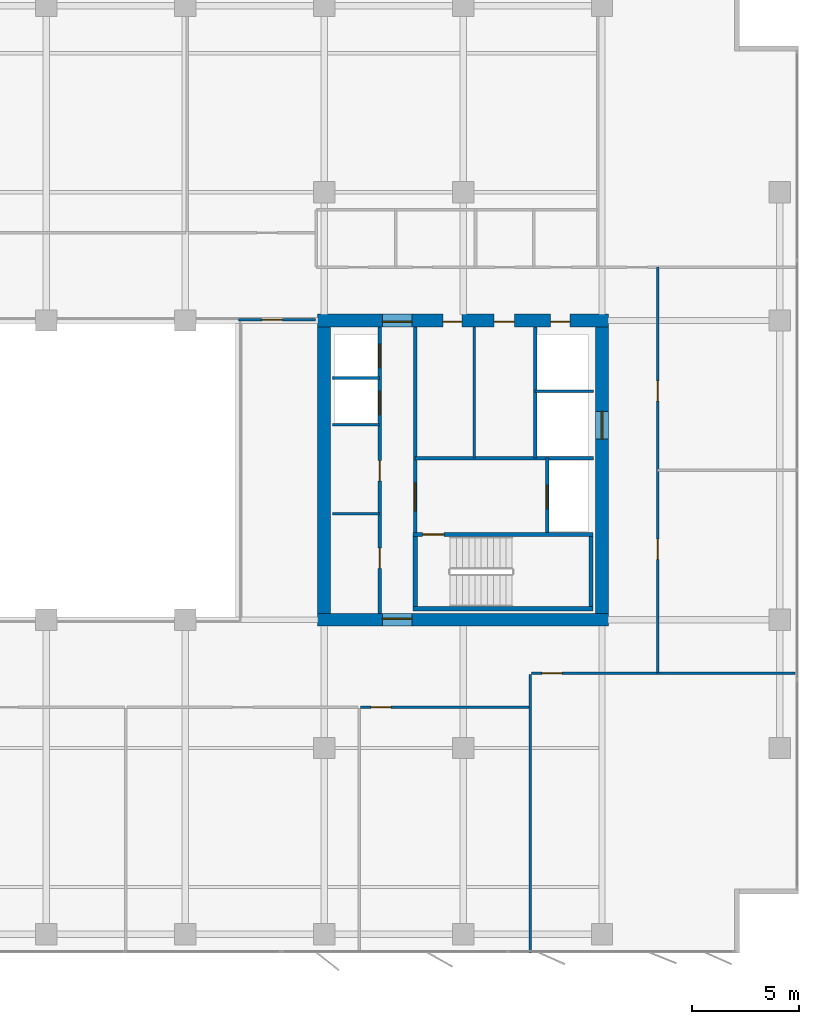
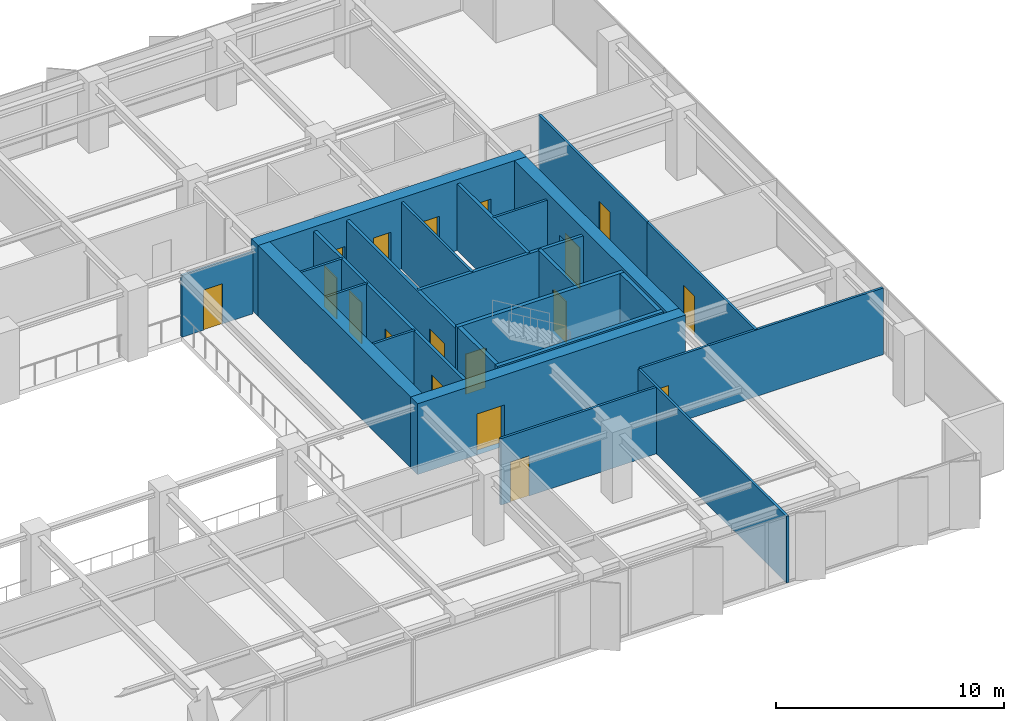
# One storey, part 16 of 22: 24 walls, 18 doors, 18 openings.
"""IFC4 building model written with IfcOpenShell, lengths in metres."""

from ifc_helpers import new_model, si_unit, direction, frame, frame_2d, origin, place, context, subcontext, project, spatial, rectangle, extrude, material, layer, layer_set, type_object, element, fill, save


model = new_model("IFC4")

# Units and contexts
model_context = context("Model", 3, precision=1e-05, world=origin(), true_north=direction((0.0, 1.0)))
body_context = subcontext(model_context, "Body", "Model", "MODEL_VIEW")
ifc_project = project(units=[si_unit("LENGTHUNIT", "METRE"), si_unit("AREAUNIT", "SQUARE_METRE"), si_unit("VOLUMEUNIT", "CUBIC_METRE"), si_unit("PLANEANGLEUNIT", "RADIAN"), si_unit("MASSUNIT", "GRAM", prefix="KILO")], contexts=[model_context])

# Site, building, storey
site_placement = place(None, origin())
site = spatial("IfcSite", under=ifc_project, at=site_placement, CompositionType="ELEMENT")
building_placement = place(site_placement, origin())
building = spatial("IfcBuilding", under=site, at=building_placement, Name="Putna Gate Headquarters", CompositionType="ELEMENT")
storey_placement = place(building_placement, frame((0.0, 0.0, 167.0)))
storey = spatial("IfcBuildingStorey", under=building, at=storey_placement, Name="L41", CompositionType="ELEMENT", Elevation=167.0)

# Wall, opening, door
ifc_material_1 = material(Name="Concrete C50/60", Category="concrete")
ifc_layer_1 = layer(ifc_material_1, 0.60009765625)
ifc_layer_set_1 = layer_set([ifc_layer_1], Name="Concrete C50/60")
wall_type_1 = type_object("IfcWallType", Name="WALL-CORE-600", PredefinedType="SHEAR", material=ifc_layer_set_1)
wall_1_placement = place(storey_placement, frame((51.699951171875, 19.0, 0.0), z_axis=(0.0, 0.0, 1.0), x_axis=(1.0, 0.0, 0.0)))
wall_1 = element("IfcWall", 1, at=wall_1_placement, inside=storey, type_object=wall_type_1, Name="L41 EC Split Core Shear Wall S", PredefinedType="SHEAR", context=body_context, shape_type="SweptSolid", body=[
    extrude(rectangle(XDim=13.60009765625, YDim=0.60009765625, at=frame_2d((6.800048828125, 0.0))), origin(), (0.0, 0.0, 1.0), 3.800048828125),
])
opening_1_placement = place(wall_1_placement, frame((3.02001953125, 0.0, 0.0)))
opening_1 = element("IfcOpeningElement", 2, at=opening_1_placement, cuts=wall_1, Name="Opening FDD-140", PredefinedType="OPENING", context=body_context, shape_type="SweptSolid", body=[
    extrude(rectangle(XDim=1.39990234375, YDim=2.199951171875, at=frame_2d((0.699951171875, 1.10009765625))), frame((0.0, 0.31005859375, 0.0), z_axis=(0.0, -1.0, 0.0), x_axis=(1.0, 0.0, 0.0)), (0.0, 0.0, 1.0), 0.6201171875),
])
ifc_material_2 = material(Name="Double steel fire door", Category="steel")
door_type_1 = type_object("IfcDoorType", Name="DOOR-FIRE-DBL-1400", OperationType="DOUBLE_DOOR_SINGLE_SWING", PredefinedType="DOOR", material=ifc_material_2)
door_1_placement = place(opening_1_placement, origin())
door_1 = element("IfcDoor", 3, at=door_1_placement, inside=storey, type_object=door_type_1, Name="L41 East Lift Lobby South Door", OperationType="DOUBLE_DOOR_SINGLE_SWING", OverallHeight=2.199951171875, OverallWidth=1.39990234375, PredefinedType="DOOR", context=body_context, shape_type="SweptSolid", body=[
    extrude(rectangle(XDim=1.39990234375, YDim=2.199951171875, at=frame_2d((0.699951171875, 1.10009765625))), frame((0.0, 0.0751953125, 0.0), z_axis=(0.0, -1.0, 0.0), x_axis=(1.0, 0.0, 0.0)), (0.0, 0.0, 1.0), 0.050048828125),
])
fill(opening_1, door_1)

# Wall, openings, doors
wall_2_placement = place(storey_placement, frame((51.699951171875, 33.0, 0.0), z_axis=(0.0, 0.0, 1.0), x_axis=(1.0, 0.0, 0.0)))
wall_2 = element("IfcWall", 4, at=wall_2_placement, inside=storey, type_object=wall_type_1, Name="L41 EC Split Core Shear Wall N", PredefinedType="SHEAR", context=body_context, shape_type="SweptSolid", body=[
    extrude(rectangle(XDim=13.60009765625, YDim=0.60009765625, at=frame_2d((6.800048828125, 0.0))), origin(), (0.0, 0.0, 1.0), 3.800048828125),
])
opening_2_placement = place(wall_2_placement, frame((3.02001953125, 0.0, 0.0)))
opening_2 = element("IfcOpeningElement", 5, at=opening_2_placement, cuts=wall_2, Name="Opening FDD-140", PredefinedType="OPENING", context=body_context, shape_type="SweptSolid", body=[
    extrude(rectangle(XDim=1.39990234375, YDim=2.199951171875, at=frame_2d((0.699951171875, 1.10009765625))), frame((0.0, 0.31005859375, 0.0), z_axis=(0.0, -1.0, 0.0), x_axis=(1.0, 0.0, 0.0)), (0.0, 0.0, 1.0), 0.6201171875),
])
opening_3_placement = place(wall_2_placement, frame((10.89990234375, 0.0, 0.0)))
opening_3 = element("IfcOpeningElement", 6, at=opening_3_placement, cuts=wall_2, Name="Opening RD-90", PredefinedType="OPENING", context=body_context, shape_type="SweptSolid", body=[
    extrude(rectangle(XDim=0.89990234375, YDim=2.14990234375, at=frame_2d((0.449951171875, 1.074951171875))), frame((0.0, 0.31005859375, 0.0), z_axis=(0.0, -1.0, 0.0), x_axis=(1.0, 0.0, 0.0)), (0.0, 0.0, 1.0), 0.6201171875),
])
opening_4_placement = place(wall_2_placement, frame((5.85009765625, 0.0, 0.0)))
opening_4 = element("IfcOpeningElement", 7, at=opening_4_placement, cuts=wall_2, Name="Opening IDS-90", PredefinedType="OPENING", context=body_context, shape_type="SweptSolid", body=[
    extrude(rectangle(XDim=0.89990234375, YDim=2.14990234375, at=frame_2d((0.449951171875, 1.074951171875))), frame((0.0, 0.31005859375, 0.0), z_axis=(0.0, -1.0, 0.0), x_axis=(1.0, 0.0, 0.0)), (0.0, 0.0, 1.0), 0.6201171875),
])
opening_5_placement = place(wall_2_placement, frame((8.25, 0.0, 0.0)))
opening_5 = element("IfcOpeningElement", 8, at=opening_5_placement, cuts=wall_2, Name="Opening IDS-95", PredefinedType="OPENING", context=body_context, shape_type="SweptSolid", body=[
    extrude(rectangle(XDim=0.949951171875, YDim=2.14990234375, at=frame_2d((0.47509765625, 1.074951171875))), frame((0.0, 0.31005859375, 0.0), z_axis=(0.0, -1.0, 0.0), x_axis=(1.0, 0.0, 0.0)), (0.0, 0.0, 1.0), 0.6201171875),
])
door_2_placement = place(opening_2_placement, origin())
door_2 = element("IfcDoor", 9, at=door_2_placement, inside=storey, type_object=door_type_1, Name="L41 East Lift Lobby North Door", OperationType="DOUBLE_DOOR_SINGLE_SWING", OverallHeight=2.199951171875, OverallWidth=1.39990234375, PredefinedType="DOOR", context=body_context, shape_type="SweptSolid", body=[
    extrude(rectangle(XDim=1.39990234375, YDim=2.199951171875, at=frame_2d((0.699951171875, 1.10009765625))), frame((0.0, -0.02490234375, 0.0), z_axis=(0.0, -1.0, 0.0), x_axis=(1.0, 0.0, 0.0)), (0.0, 0.0, 1.0), 0.050048828125),
])
fill(opening_2, door_2)
ifc_material_3 = material(Name="Fire-rated utility door")
door_type_2 = type_object("IfcDoorType", Name="DOOR-INT-900", OperationType="NOTDEFINED", PredefinedType="DOOR", material=ifc_material_3)
door_3_placement = place(opening_4_placement, origin())
door_3 = element("IfcDoor", 10, at=door_3_placement, inside=storey, type_object=door_type_2, Name="L41 Telecoms Plant Door", OperationType="SINGLE_SWING_LEFT", OverallHeight=2.14990234375, OverallWidth=0.89990234375, PredefinedType="DOOR", context=body_context, shape_type="SweptSolid", body=[
    extrude(rectangle(XDim=0.89990234375, YDim=2.14990234375, at=frame_2d((0.449951171875, 1.074951171875))), frame((0.0, -0.02490234375, 0.0), z_axis=(0.0, -1.0, 0.0), x_axis=(1.0, 0.0, 0.0)), (0.0, 0.0, 1.0), 0.050048828125),
])
fill(opening_4, door_3)
ifc_material_4 = material(Name="Fire-rated service timber door", Category="wood")
door_type_3 = type_object("IfcDoorType", Name="DOOR-INT-950", OperationType="NOTDEFINED", PredefinedType="DOOR", material=ifc_material_4)
door_4_placement = place(opening_5_placement, origin())
door_4 = element("IfcDoor", 11, at=door_4_placement, inside=storey, type_object=door_type_3, Name="L41 Supplies Store Door", OperationType="SINGLE_SWING_RIGHT", OverallHeight=2.14990234375, OverallWidth=0.949951171875, PredefinedType="DOOR", context=body_context, shape_type="SweptSolid", body=[
    extrude(rectangle(XDim=0.949951171875, YDim=2.14990234375, at=frame_2d((0.47509765625, 1.074951171875))), frame((0.0, -0.02490234375, 0.0), z_axis=(0.0, -1.0, 0.0), x_axis=(1.0, 0.0, 0.0)), (0.0, 0.0, 1.0), 0.050048828125),
])
fill(opening_5, door_4)
ifc_material_5 = material(Name="Steel riser access fire door", Category="steel")
door_type_4 = type_object("IfcDoorType", Name="DOOR-RISER-900", OperationType="NOTDEFINED", PredefinedType="DOOR", material=ifc_material_5)
door_5_placement = place(opening_3_placement, origin())
door_5 = element("IfcDoor", 12, at=door_5_placement, inside=storey, type_object=door_type_4, Name="L41 East Riser Access Door", OperationType="SINGLE_SWING_LEFT", OverallHeight=2.14990234375, OverallWidth=0.89990234375, PredefinedType="DOOR", context=body_context, shape_type="SweptSolid", body=[
    extrude(rectangle(XDim=0.89990234375, YDim=2.14990234375, at=frame_2d((0.449951171875, 1.074951171875))), frame((0.0, -0.02490234375, 0.0), z_axis=(0.0, -1.0, 0.0), x_axis=(1.0, 0.0, 0.0)), (0.0, 0.0, 1.0), 0.050048828125),
])
fill(opening_3, door_5)

# Wall
wall_3_placement = place(storey_placement, frame((52.0, 19.300048828125, 0.0), z_axis=(0.0, 0.0, 1.0), x_axis=(0.0, 1.0, 0.0)))
element("IfcWall", 13, at=wall_3_placement, inside=storey, type_object=wall_type_1, Name="L41 EC Split Core Shear Wall W", PredefinedType="SHEAR", context=body_context, shape_type="SweptSolid", body=[
    extrude(rectangle(XDim=13.39990234375, YDim=0.60009765625, at=frame_2d((6.699951171875, 0.0))), origin(), (0.0, 0.0, 1.0), 3.800048828125),
])

# Wall, opening, door
wall_4_placement = place(storey_placement, frame((65.0, 19.300048828125, 0.0), z_axis=(0.0, 0.0, 1.0), x_axis=(0.0, 1.0, 0.0)))
wall_4 = element("IfcWall", 14, at=wall_4_placement, inside=storey, type_object=wall_type_1, Name="L41 EC Split Core Shear Wall E", PredefinedType="SHEAR", context=body_context, shape_type="SweptSolid", body=[
    extrude(rectangle(XDim=13.39990234375, YDim=0.60009765625, at=frame_2d((6.699951171875, 0.0))), origin(), (0.0, 0.0, 1.0), 3.800048828125),
])
opening_6_placement = place(wall_4_placement, frame((8.14990234375, 0.0, 0.0)))
opening_6 = element("IfcOpeningElement", 15, at=opening_6_placement, cuts=wall_4, Name="Opening LD-2", PredefinedType="OPENING", context=body_context, shape_type="SweptSolid", body=[
    extrude(rectangle(XDim=1.300048828125, YDim=2.199951171875, at=frame_2d((0.64990234375, 1.10009765625))), frame((0.0, 0.31005859375, 0.0), z_axis=(0.0, -1.0, 0.0), x_axis=(1.0, 0.0, 0.0)), (0.0, 0.0, 1.0), 0.6201171875),
])
ifc_material_6 = material(Name="Heavy-duty goods lift sliding landing door")
door_type_5 = type_object("IfcDoorType", Name="DOOR-LIFT-1300", OperationType="DOUBLE_DOOR_SLIDING", PredefinedType="DOOR", material=ifc_material_6)
door_6_placement = place(opening_6_placement, origin())
door_6 = element("IfcDoor", 16, at=door_6_placement, inside=storey, type_object=door_type_5, Name="L41 Goods Lift Landing Door LD-15", OperationType="DOUBLE_DOOR_SLIDING", OverallHeight=2.199951171875, OverallWidth=1.300048828125, PredefinedType="DOOR", context=body_context, shape_type="SweptSolid", body=[
    extrude(rectangle(XDim=1.300048828125, YDim=2.199951171875, at=frame_2d((0.64990234375, 1.10009765625))), frame((0.0, 0.02490234375, 0.0), z_axis=(0.0, -1.0, 0.0), x_axis=(1.0, 0.0, 0.0)), (0.0, 0.0, 1.0), 0.050048828125),
])
fill(opening_6, door_6)

ifc_material_7 = material(Name="Acoustic gypsum board on metal stud")
ifc_layer_2 = layer(ifc_material_7, 0.1201171875)
ifc_layer_set_2 = layer_set([ifc_layer_2], Name="Acoustic gypsum board on metal stud")
wall_type_2 = type_object("IfcWallType", Name="WALL-PART-120", PredefinedType="PARTITIONING", material=ifc_layer_set_2)
wall_5_placement = place(storey_placement, frame((48.0, 33.0400390625, 0.0), z_axis=(0.0, 0.0, 1.0), x_axis=(1.0, 0.0, 0.0)))
wall_5 = element("IfcWall", 17, at=wall_5_placement, inside=storey, type_object=wall_type_2, Name="L41 Interior Wall PART-L41-ATR-E-N", PredefinedType="PARTITIONING", context=body_context, shape_type="SweptSolid", body=[
    extrude(rectangle(XDim=3.60009765625, YDim=0.1201171875, at=frame_2d((1.800048828125, 0.0))), origin(), (0.0, 0.0, 1.0), 3.31201171875),
])
opening_7_placement = place(wall_5_placement, frame((1.10009765625, 0.0, 0.0)))
opening_7 = element("IfcOpeningElement", 18, at=opening_7_placement, cuts=wall_5, Name="Opening ID-95", PredefinedType="OPENING", context=body_context, shape_type="SweptSolid", body=[
    extrude(rectangle(XDim=0.949951171875, YDim=2.14990234375, at=frame_2d((0.47509765625, 1.074951171875))), frame((0.0, 0.070068359375, 0.0), z_axis=(0.0, -1.0, 0.0), x_axis=(1.0, 0.0, 0.0)), (0.0, 0.0, 1.0), 0.14013671875),
])
ifc_material_8 = material(Name="Veneered acoustic timber door", Category="wood")
door_type_6 = type_object("IfcDoorType", Name="DOOR-OFF-950", OperationType="NOTDEFINED", PredefinedType="DOOR", material=ifc_material_8)
door_7_placement = place(opening_7_placement, origin())
door_7 = element("IfcDoor", 19, at=door_7_placement, inside=storey, type_object=door_type_6, Name="L41 East Sky Atrium Lounge Door", OperationType="SINGLE_SWING_LEFT", OverallHeight=2.14990234375, OverallWidth=0.949951171875, PredefinedType="DOOR", context=body_context, shape_type="SweptSolid", body=[
    extrude(rectangle(XDim=0.949951171875, YDim=2.14990234375, at=frame_2d((0.47509765625, 1.074951171875))), frame((0.0, 0.02490234375, 0.0), z_axis=(0.0, -1.0, 0.0), x_axis=(1.0, 0.0, 0.0)), (0.0, 0.0, 1.0), 0.050048828125),
])
fill(opening_7, door_7)

# Walls
wall_6_placement = place(storey_placement, frame((61.643798828125, 3.419921875, 0.0), z_axis=(0.0, 0.0, 1.0), x_axis=(0.0, 1.0, 0.0)))
element("IfcWall", 20, at=wall_6_placement, inside=storey, type_object=wall_type_2, Name="L41 Interior Wall PART-L41-SB-DIV-06", PredefinedType="PARTITIONING", context=body_context, shape_type="SweptSolid", body=[
    extrude(rectangle(XDim=13.02001953125, YDim=0.1201171875, at=frame_2d((6.510009765625, 0.0))), origin(), (0.0, 0.0, 1.0), 3.572021484375),
])
ifc_material_9 = material(Name="Fire-rated shaftwall gypsum board on metal stud")
ifc_layer_3 = layer(ifc_material_9, 0.1201171875)
ifc_layer_set_3 = layer_set([ifc_layer_3], Name="Fire-rated shaftwall gypsum board on metal stud")
wall_type_3 = type_object("IfcWallType", Name="WALL-PART-120-EI120", PredefinedType="PARTITIONING", material=ifc_layer_set_3)
wall_7_placement = place(storey_placement, frame((52.39990234375, 30.31005859375, 0.0), z_axis=(0.0, 0.0, 1.0), x_axis=(1.0, 0.0, 0.0)))
element("IfcWall", 21, at=wall_7_placement, inside=storey, type_object=wall_type_3, Name="L41 Interior Wall CWINT-L41-EC-LF11-DIV", PredefinedType="PARTITIONING", context=body_context, shape_type="SweptSolid", body=[
    extrude(rectangle(XDim=2.2001953125, YDim=0.1201171875, at=frame_2d((1.10009765625, 0.0))), origin(), (0.0, 0.0, 1.0), 3.572021484375),
])
wall_8_placement = place(storey_placement, frame((61.8701171875, 29.699951171875, 0.0), z_axis=(0.0, 0.0, 1.0), x_axis=(1.0, 0.0, 0.0)))
element("IfcWall", 22, at=wall_8_placement, inside=storey, type_object=wall_type_3, Name="L41 Interior Wall CWINT-L41-EC-LF15-N", PredefinedType="PARTITIONING", context=body_context, shape_type="SweptSolid", body=[
    extrude(rectangle(XDim=2.72998046875, YDim=0.1201171875, at=frame_2d((1.364990234375, 0.0))), origin(), (0.0, 0.0, 1.0), 3.572021484375),
])
ifc_material_10 = material(Name="Fire-rated gypsum board on metal stud")
ifc_layer_4 = layer(ifc_material_10, 0.1201171875)
ifc_layer_set_4 = layer_set([ifc_layer_4], Name="Fire-rated gypsum board on metal stud")
wall_type_4 = type_object("IfcWallType", Name="WALL-PART-120-RATED", PredefinedType="PARTITIONING", material=ifc_layer_set_4)
for number, where, z_axis, x_axis, name in (
    (23, (52.39990234375, 23.969970703125, 0.0), (0.0, 0.0, 1.0), (1.0, 0.0, 0.0), "L41 Interior Wall CWINT-L41-EC-REUSE-DIV"),
    (24, (52.39990234375, 28.1201171875, 0.0), (0.0, 0.0, 1.0), (1.0, 0.0, 0.0), "L41 Interior Wall CWINT-L41-EC-LF08-DIV"),
):
    element("IfcWall", number, at=place(storey_placement, frame(where, z_axis=z_axis, x_axis=x_axis)), inside=storey, type_object=wall_type_4, Name=name, PredefinedType="PARTITIONING", context=body_context, shape_type="SweptSolid", body=[
        extrude(rectangle(XDim=2.2001953125, YDim=0.1201171875, at=frame_2d((1.10009765625, 0.0))), origin(), (0.0, 0.0, 1.0), 3.572021484375),
    ])
wall_9_placement = place(storey_placement, frame((59.02001953125, 26.56005859375, 0.0), z_axis=(0.0, 0.0, 1.0), x_axis=(0.0, 1.0, 0.0)))
element("IfcWall", 25, at=wall_9_placement, inside=storey, type_object=wall_type_4, Name="L41 Interior Wall CWINT-L41-EC-K1-DIV", PredefinedType="PARTITIONING", context=body_context, shape_type="SweptSolid", body=[
    extrude(rectangle(XDim=6.139892578125, YDim=0.1201171875, at=frame_2d((3.06982421875, 0.0))), origin(), (0.0, 0.0, 1.0), 3.572021484375),
])

# Wall, opening, door
wall_10_placement = place(storey_placement, frame((53.705322265625, 14.89990234375, 0.0), z_axis=(0.0, 0.0, 1.0), x_axis=(1.0, 0.0, 0.0)))
wall_10 = element("IfcWall", 26, at=wall_10_placement, inside=storey, type_object=wall_type_4, Name="L41 Interior Wall PART-L41-SB-CW-06", PredefinedType="PARTITIONING", context=body_context, shape_type="SweptSolid", body=[
    extrude(rectangle(XDim=7.878662109375, YDim=0.1201171875, at=frame_2d((3.939453125, 0.0))), origin(), (0.0, 0.0, 1.0), 3.572021484375),
])
opening_8_placement = place(wall_10_placement, frame((0.47998046875, 0.0, 0.0)))
opening_8 = element("IfcOpeningElement", 27, at=opening_8_placement, cuts=wall_10, Name="Opening FD-95", PredefinedType="OPENING", context=body_context, shape_type="SweptSolid", body=[
    extrude(rectangle(XDim=0.949951171875, YDim=2.14990234375, at=frame_2d((0.47509765625, 1.074951171875))), frame((0.0, 0.070068359375, 0.0), z_axis=(0.0, -1.0, 0.0), x_axis=(1.0, 0.0, 0.0)), (0.0, 0.0, 1.0), 0.14013671875),
])
ifc_material_11 = material(Name="Acoustic timber fire door", Category="wood")
door_type_7 = type_object("IfcDoorType", Name="DOOR-FIRE-950", OperationType="NOTDEFINED", PredefinedType="DOOR", material=ifc_material_11)
door_8_placement = place(opening_8_placement, origin())
door_8 = element("IfcDoor", 28, at=door_8_placement, inside=storey, type_object=door_type_7, Name="L41 Quiet Wellness Focus Studio 1 Door", OperationType="SINGLE_SWING_LEFT", OverallHeight=2.14990234375, OverallWidth=0.949951171875, PredefinedType="DOOR", context=body_context, shape_type="SweptSolid", body=[
    extrude(rectangle(XDim=0.949951171875, YDim=2.14990234375, at=frame_2d((0.47509765625, 1.074951171875))), frame((0.0, 0.02490234375, 0.0), z_axis=(0.0, -1.0, 0.0), x_axis=(1.0, 0.0, 0.0)), (0.0, 0.0, 1.0), 0.050048828125),
])
fill(opening_8, door_8)

wall_11_placement = place(storey_placement, frame((61.703857421875, 16.5, 0.0), z_axis=(0.0, 0.0, 1.0), x_axis=(1.0, 0.0, 0.0)))
wall_11 = element("IfcWall", 29, at=wall_11_placement, inside=storey, type_object=wall_type_4, Name="L41 Interior Wall PART-L41-SB-CW-07", PredefinedType="PARTITIONING", context=body_context, shape_type="SweptSolid", body=[
    extrude(rectangle(XDim=12.316162109375, YDim=0.1201171875, at=frame_2d((6.158203125, 0.0))), origin(), (0.0, 0.0, 1.0), 3.572021484375),
])
opening_9_placement = place(wall_11_placement, frame((0.47998046875, 0.0, 0.0)))
opening_9 = element("IfcOpeningElement", 30, at=opening_9_placement, cuts=wall_11, Name="Opening FD-95", PredefinedType="OPENING", context=body_context, shape_type="SweptSolid", body=[
    extrude(rectangle(XDim=0.949951171875, YDim=2.14990234375, at=frame_2d((0.47509765625, 1.074951171875))), frame((0.0, 0.070068359375, 0.0), z_axis=(0.0, -1.0, 0.0), x_axis=(1.0, 0.0, 0.0)), (0.0, 0.0, 1.0), 0.14013671875),
])
door_9_placement = place(opening_9_placement, origin())
door_9 = element("IfcDoor", 31, at=door_9_placement, inside=storey, type_object=door_type_7, Name="L41 Cellular Office 4 Door", OperationType="SINGLE_SWING_RIGHT", OverallHeight=2.14990234375, OverallWidth=0.949951171875, PredefinedType="DOOR", context=body_context, shape_type="SweptSolid", body=[
    extrude(rectangle(XDim=0.949951171875, YDim=2.14990234375, at=frame_2d((0.47509765625, 1.074951171875))), frame((0.0, 0.02490234375, 0.0), z_axis=(0.0, -1.0, 0.0), x_axis=(1.0, 0.0, 0.0)), (0.0, 0.0, 1.0), 0.050048828125),
])
fill(opening_9, door_9)

wall_12_placement = place(storey_placement, frame((67.60009765625, 16.5, 0.0), z_axis=(0.0, 0.0, 1.0), x_axis=(0.0, 1.0, 0.0)))
wall_12 = element("IfcWall", 32, at=wall_12_placement, inside=storey, type_object=wall_type_4, Name="L41 Interior Wall PART-L41-EW-CW-1", PredefinedType="PARTITIONING", context=body_context, shape_type="SweptSolid", body=[
    extrude(rectangle(XDim=9.5, YDim=0.1201171875, at=frame_2d((4.75, 0.0))), origin(), (0.0, 0.0, 1.0), 3.572021484375),
])
opening_10_placement = place(wall_12_placement, frame((5.324951171875, 0.0, 0.0)))
opening_10 = element("IfcOpeningElement", 33, at=opening_10_placement, cuts=wall_12, Name="Opening FD-95", PredefinedType="OPENING", context=body_context, shape_type="SweptSolid", body=[
    extrude(rectangle(XDim=0.949951171875, YDim=2.14990234375, at=frame_2d((0.47509765625, 1.074951171875))), frame((0.0, 0.070068359375, 0.0), z_axis=(0.0, -1.0, 0.0), x_axis=(1.0, 0.0, 0.0)), (0.0, 0.0, 1.0), 0.14013671875),
])
door_10_placement = place(opening_10_placement, origin())
door_10 = element("IfcDoor", 34, at=door_10_placement, inside=storey, type_object=door_type_7, Name="L41 East Advisory Office 1 Door", OperationType="SINGLE_SWING_RIGHT", OverallHeight=2.14990234375, OverallWidth=0.949951171875, PredefinedType="DOOR", context=body_context, shape_type="SweptSolid", body=[
    extrude(rectangle(XDim=0.949951171875, YDim=2.14990234375, at=frame_2d((0.47509765625, 1.074951171875))), frame((0.0, 0.02490234375, 0.0), z_axis=(0.0, -1.0, 0.0), x_axis=(1.0, 0.0, 0.0)), (0.0, 0.0, 1.0), 0.050048828125),
])
fill(opening_10, door_10)

wall_13_placement = place(storey_placement, frame((67.60009765625, 26.0, 0.0), z_axis=(0.0, 0.0, 1.0), x_axis=(0.0, 1.0, 0.0)))
wall_13 = element("IfcWall", 35, at=wall_13_placement, inside=storey, type_object=wall_type_4, Name="L41 Interior Wall PART-L41-EW-CW-2", PredefinedType="PARTITIONING", context=body_context, shape_type="SweptSolid", body=[
    extrude(rectangle(XDim=9.5, YDim=0.1201171875, at=frame_2d((4.75, 0.0))), origin(), (0.0, 0.0, 1.0), 3.572021484375),
])
opening_11_placement = place(wall_13_placement, frame((3.22509765625, 0.0, 0.0)))
opening_11 = element("IfcOpeningElement", 36, at=opening_11_placement, cuts=wall_13, Name="Opening FD-95", PredefinedType="OPENING", context=body_context, shape_type="SweptSolid", body=[
    extrude(rectangle(XDim=0.949951171875, YDim=2.14990234375, at=frame_2d((0.47509765625, 1.074951171875))), frame((0.0, 0.070068359375, 0.0), z_axis=(0.0, -1.0, 0.0), x_axis=(1.0, 0.0, 0.0)), (0.0, 0.0, 1.0), 0.14013671875),
])
door_11_placement = place(opening_11_placement, origin())
door_11 = element("IfcDoor", 37, at=door_11_placement, inside=storey, type_object=door_type_7, Name="L41 East Horizon Conference Room 2 Door", OperationType="SINGLE_SWING_LEFT", OverallHeight=2.14990234375, OverallWidth=0.949951171875, PredefinedType="DOOR", context=body_context, shape_type="SweptSolid", body=[
    extrude(rectangle(XDim=0.949951171875, YDim=2.14990234375, at=frame_2d((0.47509765625, 1.074951171875))), frame((0.0, 0.02490234375, 0.0), z_axis=(0.0, -1.0, 0.0), x_axis=(1.0, 0.0, 0.0)), (0.0, 0.0, 1.0), 0.050048828125),
])
fill(opening_11, door_11)

# Wall, openings, doors
ifc_material_12 = material(Name="Concrete C40/50", Category="concrete")
ifc_layer_5 = layer(ifc_material_12, 0.159912109375)
ifc_layer_set_5 = layer_set([ifc_layer_5], Name="Concrete C40/50")
wall_type_5 = type_object("IfcWallType", Name="WALL-SHAFT-160", PredefinedType="STANDARD", material=ifc_layer_set_5)
wall_14_placement = place(storey_placement, frame((54.60009765625, 19.300048828125, 0.0), z_axis=(0.0, 0.0, 1.0), x_axis=(0.0, 1.0, 0.0)))
wall_14 = element("IfcWall", 38, at=wall_14_placement, inside=storey, type_object=wall_type_5, Name="L41 Interior Wall CWINT-L41-EC-PL-WALL", PredefinedType="STANDARD", context=body_context, shape_type="SweptSolid", body=[
    extrude(rectangle(XDim=13.39990234375, YDim=0.159912109375, at=frame_2d((6.699951171875, 0.0))), origin(), (0.0, 0.0, 1.0), 3.572021484375),
])
opening_12_placement = place(wall_14_placement, frame((2.10009765625, 0.0, 0.0)))
opening_12 = element("IfcOpeningElement", 39, at=opening_12_placement, cuts=wall_14, Name="Opening IDS-95", PredefinedType="OPENING", context=body_context, shape_type="SweptSolid", body=[
    extrude(rectangle(XDim=0.949951171875, YDim=2.14990234375, at=frame_2d((0.47509765625, 1.074951171875))), frame((0.0, 0.08984375, 0.0), z_axis=(0.0, -1.0, 0.0), x_axis=(1.0, 0.0, 0.0)), (0.0, 0.0, 1.0), 0.179931640625),
])
opening_13_placement = place(wall_14_placement, frame((6.199951171875, 0.0, 0.0)))
opening_13 = element("IfcOpeningElement", 40, at=opening_13_placement, cuts=wall_14, Name="Opening IDS-95", PredefinedType="OPENING", context=body_context, shape_type="SweptSolid", body=[
    extrude(rectangle(XDim=0.949951171875, YDim=2.14990234375, at=frame_2d((0.47509765625, 1.074951171875))), frame((0.0, 0.08984375, 0.0), z_axis=(0.0, -1.0, 0.0), x_axis=(1.0, 0.0, 0.0)), (0.0, 0.0, 1.0), 0.179931640625),
])
opening_14_placement = place(wall_14_placement, frame((9.300048828125, 0.0, 0.0)))
opening_14 = element("IfcOpeningElement", 41, at=opening_14_placement, cuts=wall_14, Name="Opening LD-1", PredefinedType="OPENING", context=body_context, shape_type="SweptSolid", body=[
    extrude(rectangle(XDim=1.10009765625, YDim=2.199951171875, at=frame_2d((0.550048828125, 1.10009765625))), frame((0.0, 0.08984375, 0.0), z_axis=(0.0, -1.0, 0.0), x_axis=(1.0, 0.0, 0.0)), (0.0, 0.0, 1.0), 0.179931640625),
])
opening_15_placement = place(wall_14_placement, frame((11.5, 0.0, 0.0)))
opening_15 = element("IfcOpeningElement", 42, at=opening_15_placement, cuts=wall_14, Name="Opening LD-1", PredefinedType="OPENING", context=body_context, shape_type="SweptSolid", body=[
    extrude(rectangle(XDim=1.10009765625, YDim=2.199951171875, at=frame_2d((0.550048828125, 1.10009765625))), frame((0.0, 0.08984375, 0.0), z_axis=(0.0, -1.0, 0.0), x_axis=(1.0, 0.0, 0.0)), (0.0, 0.0, 1.0), 0.179931640625),
])
door_12_placement = place(opening_12_placement, origin())
door_12 = element("IfcDoor", 43, at=door_12_placement, inside=storey, type_object=door_type_3, Name="L41 Executive Archive Door", OperationType="SINGLE_SWING_RIGHT", OverallHeight=2.14990234375, OverallWidth=0.949951171875, PredefinedType="DOOR", context=body_context, shape_type="SweptSolid", body=[
    extrude(rectangle(XDim=0.949951171875, YDim=2.14990234375, at=frame_2d((0.47509765625, 1.074951171875))), frame((0.0, 0.02490234375, 0.0), z_axis=(0.0, -1.0, 0.0), x_axis=(1.0, 0.0, 0.0)), (0.0, 0.0, 1.0), 0.050048828125),
])
fill(opening_12, door_12)
door_13_placement = place(opening_13_placement, origin())
door_13 = element("IfcDoor", 44, at=door_13_placement, inside=storey, type_object=door_type_3, Name="L41 Comms Distribution Door", OperationType="SINGLE_SWING_LEFT", OverallHeight=2.14990234375, OverallWidth=0.949951171875, PredefinedType="DOOR", context=body_context, shape_type="SweptSolid", body=[
    extrude(rectangle(XDim=0.949951171875, YDim=2.14990234375, at=frame_2d((0.47509765625, 1.074951171875))), frame((0.0, 0.02490234375, 0.0), z_axis=(0.0, -1.0, 0.0), x_axis=(1.0, 0.0, 0.0)), (0.0, 0.0, 1.0), 0.050048828125),
])
fill(opening_13, door_13)
ifc_material_13 = material(Name="Brushed bronze stainless lift landing door")
door_type_8 = type_object("IfcDoorType", Name="DOOR-LIFT-1100", OperationType="DOUBLE_DOOR_SLIDING", PredefinedType="DOOR", material=ifc_material_13)
door_14_placement = place(opening_14_placement, origin())
door_14 = element("IfcDoor", 45, at=door_14_placement, inside=storey, type_object=door_type_8, Name="L41 Lift Landing Door LD-11", OperationType="DOUBLE_DOOR_SLIDING", OverallHeight=2.199951171875, OverallWidth=1.10009765625, PredefinedType="DOOR", context=body_context, shape_type="SweptSolid", body=[
    extrude(rectangle(XDim=1.10009765625, YDim=2.199951171875, at=frame_2d((0.550048828125, 1.10009765625))), frame((0.0, 0.02490234375, 0.0), z_axis=(0.0, -1.0, 0.0), x_axis=(1.0, 0.0, 0.0)), (0.0, 0.0, 1.0), 0.050048828125),
])
fill(opening_14, door_14)
door_15_placement = place(opening_15_placement, origin())
door_15 = element("IfcDoor", 46, at=door_15_placement, inside=storey, type_object=door_type_8, Name="L41 Lift Landing Door LD-12", OperationType="DOUBLE_DOOR_SLIDING", OverallHeight=2.199951171875, OverallWidth=1.10009765625, PredefinedType="DOOR", context=body_context, shape_type="SweptSolid", body=[
    extrude(rectangle(XDim=1.10009765625, YDim=2.199951171875, at=frame_2d((0.550048828125, 1.10009765625))), frame((0.0, 0.02490234375, 0.0), z_axis=(0.0, -1.0, 0.0), x_axis=(1.0, 0.0, 0.0)), (0.0, 0.0, 1.0), 0.050048828125),
])
fill(opening_15, door_15)

# Wall, opening, door
wall_15_placement = place(storey_placement, frame((56.260009765625, 23.090087890625, 0.0), z_axis=(0.0, 0.0, 1.0), x_axis=(0.0, 1.0, 0.0)))
wall_15 = element("IfcWall", 47, at=wall_15_placement, inside=storey, type_object=wall_type_5, Name="L41 Interior Wall CWINT-L41-EC-LOB-E", PredefinedType="STANDARD", context=body_context, shape_type="SweptSolid", body=[
    extrude(rectangle(XDim=9.60986328125, YDim=0.159912109375, at=frame_2d((4.804931640625, 0.0))), origin(), (0.0, 0.0, 1.0), 3.572021484375),
])
opening_16_placement = place(wall_15_placement, frame((1.010009765625, 0.0, 0.0)))
opening_16 = element("IfcOpeningElement", 48, at=opening_16_placement, cuts=wall_15, Name="Opening FDD-130", PredefinedType="OPENING", context=body_context, shape_type="SweptSolid", body=[
    extrude(rectangle(XDim=1.300048828125, YDim=2.199951171875, at=frame_2d((0.64990234375, 1.10009765625))), frame((0.0, 0.08984375, 0.0), z_axis=(0.0, -1.0, 0.0), x_axis=(1.0, 0.0, 0.0)), (0.0, 0.0, 1.0), 0.179931640625),
])
ifc_material_14 = material(Name="Double steel lobby fire door", Category="steel")
door_type_9 = type_object("IfcDoorType", Name="DOOR-FIRE-DBL-1300", OperationType="DOUBLE_DOOR_SINGLE_SWING", PredefinedType="DOOR", material=ifc_material_14)
door_16_placement = place(opening_16_placement, origin())
door_16 = element("IfcDoor", 49, at=door_16_placement, inside=storey, type_object=door_type_9, Name="L41 East Firefighting Lobby Door", OperationType="DOUBLE_DOOR_SINGLE_SWING", OverallHeight=2.199951171875, OverallWidth=1.300048828125, PredefinedType="DOOR", context=body_context, shape_type="SweptSolid", body=[
    extrude(rectangle(XDim=1.300048828125, YDim=2.199951171875, at=frame_2d((0.64990234375, 1.10009765625))), frame((0.0, 0.02490234375, 0.0), z_axis=(0.0, -1.0, 0.0), x_axis=(1.0, 0.0, 0.0)), (0.0, 0.0, 1.0), 0.050048828125),
])
fill(opening_16, door_16)

wall_16_placement = place(storey_placement, frame((62.429931640625, 23.090087890625, 0.0), z_axis=(0.0, 0.0, 1.0), x_axis=(0.0, 1.0, 0.0)))
wall_16 = element("IfcWall", 50, at=wall_16_placement, inside=storey, type_object=wall_type_5, Name="L41 Interior Wall CWINT-L41-EC-LF14-W", PredefinedType="STANDARD", context=body_context, shape_type="SweptSolid", body=[
    extrude(rectangle(XDim=3.469970703125, YDim=0.159912109375, at=frame_2d((1.73486328125, 0.0))), origin(), (0.0, 0.0, 1.0), 3.572021484375),
])
opening_17_placement = place(wall_16_placement, frame((1.10009765625, 0.0, 0.0)))
opening_17 = element("IfcOpeningElement", 51, at=opening_17_placement, cuts=wall_16, Name="Opening LD-1", PredefinedType="OPENING", context=body_context, shape_type="SweptSolid", body=[
    extrude(rectangle(XDim=1.10009765625, YDim=2.199951171875, at=frame_2d((0.550048828125, 1.10009765625))), frame((0.0, 0.08984375, 0.0), z_axis=(0.0, -1.0, 0.0), x_axis=(1.0, 0.0, 0.0)), (0.0, 0.0, 1.0), 0.179931640625),
])
door_17_placement = place(opening_17_placement, origin())
door_17 = element("IfcDoor", 52, at=door_17_placement, inside=storey, type_object=door_type_8, Name="L41 Lift Landing Door LD-14", OperationType="DOUBLE_DOOR_SLIDING", OverallHeight=2.199951171875, OverallWidth=1.10009765625, PredefinedType="DOOR", context=body_context, shape_type="SweptSolid", body=[
    extrude(rectangle(XDim=1.10009765625, YDim=2.199951171875, at=frame_2d((0.550048828125, 1.10009765625))), frame((0.0, 0.02490234375, 0.0), z_axis=(0.0, -1.0, 0.0), x_axis=(1.0, 0.0, 0.0)), (0.0, 0.0, 1.0), 0.050048828125),
])
fill(opening_17, door_17)

# Walls
wall_17_placement = place(storey_placement, frame((56.260009765625, 26.56005859375, 0.0), z_axis=(0.0, 0.0, 1.0), x_axis=(1.0, 0.0, 0.0)))
element("IfcWall", 53, at=wall_17_placement, inside=storey, type_object=wall_type_5, Name="L41 Interior Wall CWINT-L41-EC-FFL-N", PredefinedType="STANDARD", context=body_context, shape_type="SweptSolid", body=[
    extrude(rectangle(XDim=8.340087890625, YDim=0.159912109375, at=frame_2d((4.169921875, 0.0))), origin(), (0.0, 0.0, 1.0), 3.572021484375),
])
wall_18_placement = place(storey_placement, frame((61.8701171875, 26.56005859375, 0.0), z_axis=(0.0, 0.0, 1.0), x_axis=(0.0, 1.0, 0.0)))
element("IfcWall", 54, at=wall_18_placement, inside=storey, type_object=wall_type_5, Name="L41 Interior Wall CWINT-L41-EC-LF15-W", PredefinedType="STANDARD", context=body_context, shape_type="SweptSolid", body=[
    extrude(rectangle(XDim=6.139892578125, YDim=0.159912109375, at=frame_2d((3.06982421875, 0.0))), origin(), (0.0, 0.0, 1.0), 3.572021484375),
])
ifc_layer_6 = layer(ifc_material_12, 0.199951171875)
ifc_layer_set_6 = layer_set([ifc_layer_6], Name="Concrete C40/50")
wall_type_6 = type_object("IfcWallType", Name="WALL-SHAFT-RC200", PredefinedType="SHEAR", material=ifc_layer_set_6)
wall_19_placement = place(storey_placement, frame((56.159912109375, 19.510009765625, 0.0), z_axis=(0.0, 0.0, 1.0), x_axis=(1.0, 0.0, 0.0)))
element("IfcWall", 55, at=wall_19_placement, inside=storey, type_object=wall_type_6, Name="L41 Stair ST2 Structural Shaft Wall S", PredefinedType="SHEAR", context=body_context, shape_type="SweptSolid", body=[
    extrude(rectangle(XDim=8.43017578125, YDim=0.199951171875, at=frame_2d((4.215087890625, 0.0))), origin(), (0.0, 0.0, 1.0), 3.800048828125),
])

# Wall, opening, door
wall_20_placement = place(storey_placement, frame((56.159912109375, 22.989990234375, 0.0), z_axis=(0.0, 0.0, 1.0), x_axis=(1.0, 0.0, 0.0)))
wall_20 = element("IfcWall", 56, at=wall_20_placement, inside=storey, type_object=wall_type_6, Name="L41 Stair ST2 Structural Shaft Wall N", PredefinedType="SHEAR", context=body_context, shape_type="SweptSolid", body=[
    extrude(rectangle(XDim=8.43017578125, YDim=0.199951171875, at=frame_2d((4.215087890625, 0.0))), origin(), (0.0, 0.0, 1.0), 3.800048828125),
])
opening_18_placement = place(wall_20_placement, frame((0.449951171875, 0.0, 0.0)))
opening_18 = element("IfcOpeningElement", 57, at=opening_18_placement, cuts=wall_20, Name="Opening FD-100", PredefinedType="OPENING", context=body_context, shape_type="SweptSolid", body=[
    extrude(rectangle(XDim=1.0, YDim=2.14990234375, at=frame_2d((0.5, 1.074951171875))), frame((0.0, 0.10986328125, 0.0), z_axis=(0.0, -1.0, 0.0), x_axis=(1.0, 0.0, 0.0)), (0.0, 0.0, 1.0), 0.219970703125),
])
ifc_material_15 = material(Name="Powder-coated steel fire door", Category="steel")
door_type_10 = type_object("IfcDoorType", Name="DOOR-FIRE-1000", OperationType="NOTDEFINED", PredefinedType="DOOR", material=ifc_material_15)
door_18_placement = place(opening_18_placement, origin())
door_18 = element("IfcDoor", 58, at=door_18_placement, inside=storey, type_object=door_type_10, Name="L41 Stair ST2 Fire Door", OperationType="SINGLE_SWING_RIGHT", OverallHeight=2.14990234375, OverallWidth=1.0, PredefinedType="DOOR", context=body_context, shape_type="SweptSolid", body=[
    extrude(rectangle(XDim=1.0, YDim=2.14990234375, at=frame_2d((0.5, 1.074951171875))), frame((0.0, 0.02490234375, 0.0), z_axis=(0.0, -1.0, 0.0), x_axis=(1.0, 0.0, 0.0)), (0.0, 0.0, 1.0), 0.050048828125),
])
fill(opening_18, door_18)

# Walls
for number, where, z_axis, x_axis, name in (
    (59, (56.260009765625, 19.610107421875, 0.0), (0.0, 0.0, 1.0), (0.0, 1.0, 0.0), "L41 Stair ST2 Structural Shaft Wall W"),
    (60, (64.489990234375, 19.610107421875, 0.0), (0.0, 0.0, 1.0), (0.0, 1.0, 0.0), "L41 Stair ST2 Structural Shaft Wall E"),
):
    element("IfcWall", number, at=place(storey_placement, frame(where, z_axis=z_axis, x_axis=x_axis)), inside=storey, type_object=wall_type_6, Name=name, PredefinedType="SHEAR", context=body_context, shape_type="SweptSolid", body=[
        extrude(rectangle(XDim=3.27978515625, YDim=0.199951171875, at=frame_2d((1.639892578125, 0.0))), origin(), (0.0, 0.0, 1.0), 3.800048828125),
    ])

save(model, "model.ifc")
